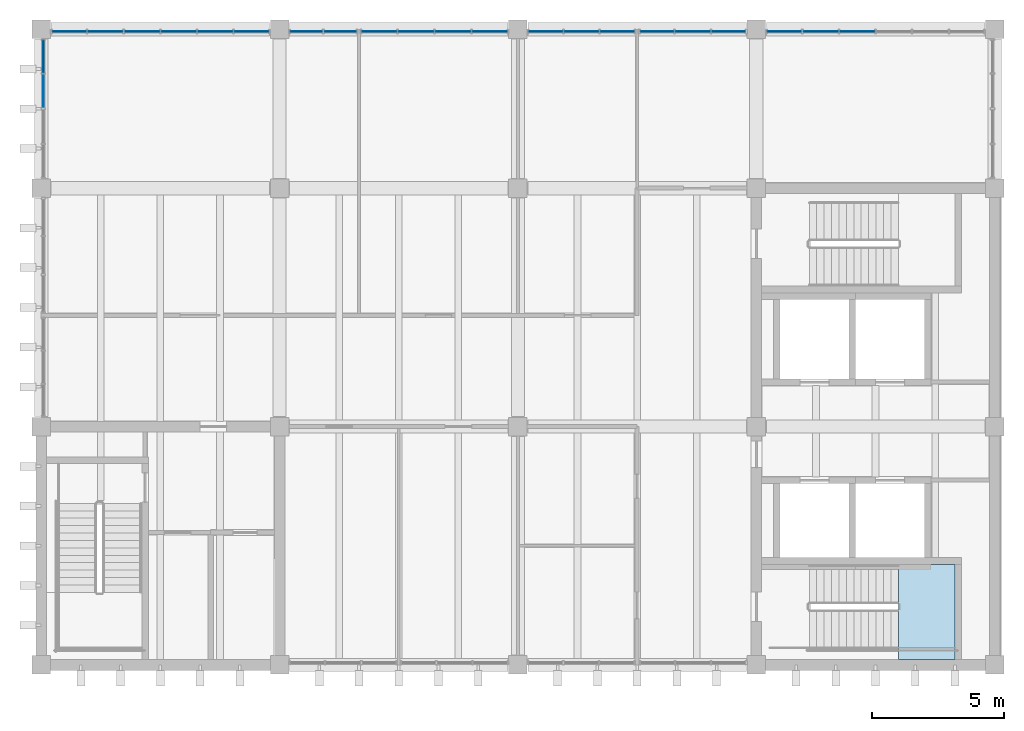
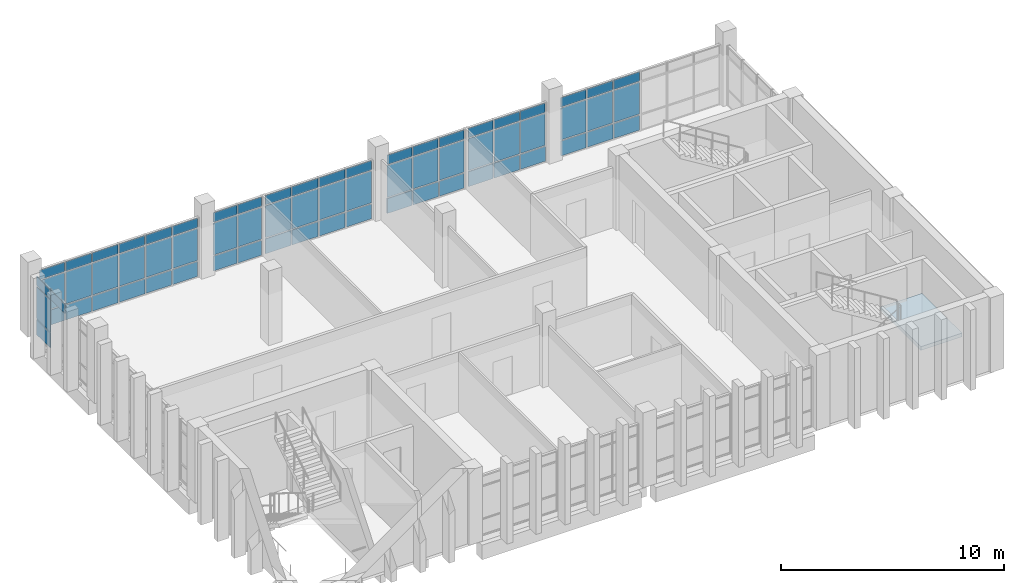
# One storey, part 8 of 14: 67 plates, 1 slab, 8 elements without a shape of their own.
"""IFC4 building model written with IfcOpenShell, lengths in metres."""

from ifc_helpers import new_model, si_unit, direction, frame, origin, origin_2d, place, context, subcontext, project, spatial, polyline, rectangle, outline, extrude, material, layer, layer_set, type_object, element, aggregate, save


model = new_model("IFC4")

# Units and contexts
model_context = context("Model", 3, precision=1e-05, world=origin(), true_north=direction((0.0, 1.0)))
body_context = subcontext(model_context, "Body", "Model", "MODEL_VIEW")
ifc_project = project(units=[si_unit("LENGTHUNIT", "METRE"), si_unit("AREAUNIT", "SQUARE_METRE"), si_unit("VOLUMEUNIT", "CUBIC_METRE"), si_unit("PLANEANGLEUNIT", "RADIAN"), si_unit("MASSUNIT", "GRAM", prefix="KILO")], contexts=[model_context])

# Site, building, storey
site_placement = place(None, origin())
site = spatial("IfcSite", under=ifc_project, at=site_placement, CompositionType="ELEMENT")
building_placement = place(site_placement, origin())
building = spatial("IfcBuilding", under=site, at=building_placement, Name="Merrow Basin Faculty of Sciences", CompositionType="ELEMENT")
storey_placement = place(building_placement, frame((0.0, 0.0, 36.0)))
storey = spatial("IfcBuildingStorey", under=building, at=storey_placement, Name="L08", CompositionType="ELEMENT", Elevation=36.0)

# Curtain wall, plate
ifc_material_1 = material(Name="Aluminium alloy 6063", Category="aluminium")
curtain_wall_type = type_object("IfcCurtainWallType", Name="Unitised curtain wall 160", PredefinedType="NOTDEFINED", material=ifc_material_1)
curtain_wall_1_placement = place(storey_placement, origin())
curtain_wall_1 = element("IfcCurtainWall", 1, at=curtain_wall_1_placement, inside=storey, type_object=curtain_wall_type, Name="W curtain wall L08 3", PredefinedType="NOTDEFINED")
ifc_material_2 = material(Name="Insulated aluminium spandrel panel", Category="aluminium")
ifc_layer_1 = layer(ifc_material_2, 0.052001953125)
ifc_layer_set_1 = layer_set([ifc_layer_1], Name="Insulated spandrel panel 52")
plate_type_1 = type_object("IfcPlateType", Name="Insulated spandrel panel 52", PredefinedType="CURTAIN_PANEL", material=ifc_layer_set_1)
plate_1_placement = place(storey_placement, frame((18.080078125, 164.972412109375, 0.06005859375), z_axis=(0.0, 0.0, 1.0), x_axis=(0.0, 1.0, 0.0)))
plate_1 = element("IfcPlate", 2, at=plate_1_placement, type_object=plate_type_1, Name="CW3 panel 4.1", PredefinedType="CURTAIN_PANEL", context=body_context, shape_type="SweptSolid", body=[
    extrude(rectangle(XDim=1.235107421875, YDim=0.052001953125, at=origin_2d()), origin(), (0.0, 0.0, 1.0), 0.81005859375),
])

# Curtain wall, plates
curtain_wall_2_placement = place(storey_placement, origin())
curtain_wall_2 = element("IfcCurtainWall", 3, at=curtain_wall_2_placement, inside=storey, type_object=curtain_wall_type, Name="N curtain wall L08 1", PredefinedType="NOTDEFINED")
plate_2_placement = place(storey_placement, frame((19.056640625, 165.919921875, 0.06005859375), z_axis=(0.0, 0.0, 1.0), x_axis=(1.0, 0.0, 0.0)))
plate_2 = element("IfcPlate", 4, at=plate_2_placement, type_object=plate_type_1, Name="CW3 panel 1.1", PredefinedType="CURTAIN_PANEL", context=body_context, shape_type="SweptSolid", body=[
    extrude(rectangle(XDim=1.293212890625, YDim=0.052001953125, at=origin_2d()), origin(), (0.0, 0.0, 1.0), 0.81005859375),
])
plate_3_placement = place(storey_placement, frame((20.425048828125, 165.919921875, 0.06005859375), z_axis=(0.0, 0.0, 1.0), x_axis=(1.0, 0.0, 0.0)))
plate_3 = element("IfcPlate", 5, at=plate_3_placement, type_object=plate_type_1, Name="CW3 panel 2.1", PredefinedType="CURTAIN_PANEL", context=body_context, shape_type="SweptSolid", body=[
    extrude(rectangle(XDim=1.3232421875, YDim=0.052001953125, at=origin_2d()), origin(), (0.0, 0.0, 1.0), 0.81005859375),
])
plate_4_placement = place(storey_placement, frame((21.808349609375, 165.919921875, 0.06005859375), z_axis=(0.0, 0.0, 1.0), x_axis=(1.0, 0.0, 0.0)))
plate_4 = element("IfcPlate", 6, at=plate_4_placement, type_object=plate_type_1, Name="CW3 panel 3.1", PredefinedType="CURTAIN_PANEL", context=body_context, shape_type="SweptSolid", body=[
    extrude(rectangle(XDim=1.3232421875, YDim=0.052001953125, at=origin_2d()), origin(), (0.0, 0.0, 1.0), 0.81005859375),
])
plate_5_placement = place(storey_placement, frame((23.191650390625, 165.919921875, 0.06005859375), z_axis=(0.0, 0.0, 1.0), x_axis=(1.0, 0.0, 0.0)))
plate_5 = element("IfcPlate", 7, at=plate_5_placement, type_object=plate_type_1, Name="CW3 panel 4.1", PredefinedType="CURTAIN_PANEL", context=body_context, shape_type="SweptSolid", body=[
    extrude(rectangle(XDim=1.3232421875, YDim=0.052001953125, at=origin_2d()), origin(), (0.0, 0.0, 1.0), 0.81005859375),
])
plate_6_placement = place(storey_placement, frame((24.574951171875, 165.919921875, 0.06005859375), z_axis=(0.0, 0.0, 1.0), x_axis=(1.0, 0.0, 0.0)))
plate_6 = element("IfcPlate", 8, at=plate_6_placement, type_object=plate_type_1, Name="CW3 panel 5.1", PredefinedType="CURTAIN_PANEL", context=body_context, shape_type="SweptSolid", body=[
    extrude(rectangle(XDim=1.3232421875, YDim=0.052001953125, at=origin_2d()), origin(), (0.0, 0.0, 1.0), 0.81005859375),
])
plate_7_placement = place(storey_placement, frame((25.943359375, 165.919921875, 0.06005859375), z_axis=(0.0, 0.0, 1.0), x_axis=(1.0, 0.0, 0.0)))
plate_7 = element("IfcPlate", 9, at=plate_7_placement, type_object=plate_type_1, Name="CW3 panel 6.1", PredefinedType="CURTAIN_PANEL", context=body_context, shape_type="SweptSolid", body=[
    extrude(rectangle(XDim=1.293212890625, YDim=0.052001953125, at=origin_2d()), origin(), (0.0, 0.0, 1.0), 0.81005859375),
])

curtain_wall_3_placement = place(storey_placement, origin())
curtain_wall_3 = element("IfcCurtainWall", 10, at=curtain_wall_3_placement, inside=storey, type_object=curtain_wall_type, Name="N curtain wall L08 2", PredefinedType="NOTDEFINED")
plate_8_placement = place(storey_placement, frame((28.014892578125, 165.919921875, 0.06005859375), z_axis=(0.0, 0.0, 1.0), x_axis=(1.0, 0.0, 0.0)))
plate_8 = element("IfcPlate", 11, at=plate_8_placement, type_object=plate_type_1, Name="CW3 panel 1.1", PredefinedType="CURTAIN_PANEL", context=body_context, shape_type="SweptSolid", body=[
    extrude(rectangle(XDim=1.2099609375, YDim=0.052001953125, at=origin_2d()), origin(), (0.0, 0.0, 1.0), 0.81005859375),
])
plate_9_placement = place(storey_placement, frame((29.284912109375, 165.919921875, 0.06005859375), z_axis=(0.0, 0.0, 1.0), x_axis=(1.0, 0.0, 0.0)))
plate_9 = element("IfcPlate", 12, at=plate_9_placement, type_object=plate_type_1, Name="CW3 panel 2.1", PredefinedType="CURTAIN_PANEL", context=body_context, shape_type="SweptSolid", body=[
    extrude(rectangle(XDim=1.2099609375, YDim=0.052001953125, at=origin_2d()), origin(), (0.0, 0.0, 1.0), 0.81005859375),
])

curtain_wall_4_placement = place(storey_placement, origin())
curtain_wall_4 = element("IfcCurtainWall", 13, at=curtain_wall_4_placement, inside=storey, type_object=curtain_wall_type, Name="N curtain wall L08 3", PredefinedType="NOTDEFINED")
plate_10_placement = place(storey_placement, frame((30.764892578125, 165.919921875, 0.06005859375), z_axis=(0.0, 0.0, 1.0), x_axis=(1.0, 0.0, 0.0)))
plate_10 = element("IfcPlate", 14, at=plate_10_placement, type_object=plate_type_1, Name="CW3 panel 1.1", PredefinedType="CURTAIN_PANEL", context=body_context, shape_type="SweptSolid", body=[
    extrude(rectangle(XDim=1.31005859375, YDim=0.052001953125, at=origin_2d()), origin(), (0.0, 0.0, 1.0), 0.81005859375),
])
plate_11_placement = place(storey_placement, frame((32.14990234375, 165.919921875, 0.06005859375), z_axis=(0.0, 0.0, 1.0), x_axis=(1.0, 0.0, 0.0)))
plate_11 = element("IfcPlate", 15, at=plate_11_placement, type_object=plate_type_1, Name="CW3 panel 2.1", PredefinedType="CURTAIN_PANEL", context=body_context, shape_type="SweptSolid", body=[
    extrude(rectangle(XDim=1.340087890625, YDim=0.052001953125, at=origin_2d()), origin(), (0.0, 0.0, 1.0), 0.81005859375),
])
plate_12_placement = place(storey_placement, frame((33.550048828125, 165.919921875, 0.06005859375), z_axis=(0.0, 0.0, 1.0), x_axis=(1.0, 0.0, 0.0)))
plate_12 = element("IfcPlate", 16, at=plate_12_placement, type_object=plate_type_1, Name="CW3 panel 3.1", PredefinedType="CURTAIN_PANEL", context=body_context, shape_type="SweptSolid", body=[
    extrude(rectangle(XDim=1.340087890625, YDim=0.052001953125, at=origin_2d()), origin(), (0.0, 0.0, 1.0), 0.81005859375),
])
plate_13_placement = place(storey_placement, frame((34.93505859375, 165.919921875, 0.06005859375), z_axis=(0.0, 0.0, 1.0), x_axis=(1.0, 0.0, 0.0)))
plate_13 = element("IfcPlate", 17, at=plate_13_placement, type_object=plate_type_1, Name="CW3 panel 4.1", PredefinedType="CURTAIN_PANEL", context=body_context, shape_type="SweptSolid", body=[
    extrude(rectangle(XDim=1.31005859375, YDim=0.052001953125, at=origin_2d()), origin(), (0.0, 0.0, 1.0), 0.81005859375),
])

curtain_wall_5_placement = place(storey_placement, origin())
curtain_wall_5 = element("IfcCurtainWall", 18, at=curtain_wall_5_placement, inside=storey, type_object=curtain_wall_type, Name="N curtain wall L08 4", PredefinedType="NOTDEFINED")
plate_14_placement = place(storey_placement, frame((37.04833984375, 165.919921875, 0.06005859375), z_axis=(0.0, 0.0, 1.0), x_axis=(1.0, 0.0, 0.0)))
plate_14 = element("IfcPlate", 19, at=plate_14_placement, type_object=plate_type_1, Name="CW3 panel 1.1", PredefinedType="CURTAIN_PANEL", context=body_context, shape_type="SweptSolid", body=[
    extrude(rectangle(XDim=1.276611328125, YDim=0.052001953125, at=origin_2d()), origin(), (0.0, 0.0, 1.0), 0.81005859375),
])
plate_15_placement = place(storey_placement, frame((38.39990234375, 165.919921875, 0.06005859375), z_axis=(0.0, 0.0, 1.0), x_axis=(1.0, 0.0, 0.0)))
plate_15 = element("IfcPlate", 20, at=plate_15_placement, type_object=plate_type_1, Name="CW3 panel 2.1", PredefinedType="CURTAIN_PANEL", context=body_context, shape_type="SweptSolid", body=[
    extrude(rectangle(XDim=1.306640625, YDim=0.052001953125, at=origin_2d()), origin(), (0.0, 0.0, 1.0), 0.81005859375),
])
plate_16_placement = place(storey_placement, frame((39.751708984375, 165.919921875, 0.06005859375), z_axis=(0.0, 0.0, 1.0), x_axis=(1.0, 0.0, 0.0)))
plate_16 = element("IfcPlate", 21, at=plate_16_placement, type_object=plate_type_1, Name="CW3 panel 3.1", PredefinedType="CURTAIN_PANEL", context=body_context, shape_type="SweptSolid", body=[
    extrude(rectangle(XDim=1.276611328125, YDim=0.052001953125, at=origin_2d()), origin(), (0.0, 0.0, 1.0), 0.81005859375),
])

curtain_wall_6_placement = place(storey_placement, origin())
curtain_wall_6 = element("IfcCurtainWall", 22, at=curtain_wall_6_placement, inside=storey, type_object=curtain_wall_type, Name="N curtain wall L08 5", PredefinedType="NOTDEFINED")
plate_17_placement = place(storey_placement, frame((41.248291015625, 165.919921875, 0.06005859375), z_axis=(0.0, 0.0, 1.0), x_axis=(1.0, 0.0, 0.0)))
plate_17 = element("IfcPlate", 23, at=plate_17_placement, type_object=plate_type_1, Name="CW3 panel 1.1", PredefinedType="CURTAIN_PANEL", context=body_context, shape_type="SweptSolid", body=[
    extrude(rectangle(XDim=1.276611328125, YDim=0.052001953125, at=origin_2d()), origin(), (0.0, 0.0, 1.0), 0.81005859375),
])
plate_18_placement = place(storey_placement, frame((42.60009765625, 165.919921875, 0.06005859375), z_axis=(0.0, 0.0, 1.0), x_axis=(1.0, 0.0, 0.0)))
plate_18 = element("IfcPlate", 24, at=plate_18_placement, type_object=plate_type_1, Name="CW3 panel 2.1", PredefinedType="CURTAIN_PANEL", context=body_context, shape_type="SweptSolid", body=[
    extrude(rectangle(XDim=1.306640625, YDim=0.052001953125, at=origin_2d()), origin(), (0.0, 0.0, 1.0), 0.81005859375),
])
plate_19_placement = place(storey_placement, frame((43.95166015625, 165.919921875, 0.06005859375), z_axis=(0.0, 0.0, 1.0), x_axis=(1.0, 0.0, 0.0)))
plate_19 = element("IfcPlate", 25, at=plate_19_placement, type_object=plate_type_1, Name="CW3 panel 3.1", PredefinedType="CURTAIN_PANEL", context=body_context, shape_type="SweptSolid", body=[
    extrude(rectangle(XDim=1.276611328125, YDim=0.052001953125, at=origin_2d()), origin(), (0.0, 0.0, 1.0), 0.81005859375),
])

curtain_wall_7_placement = place(storey_placement, origin())
curtain_wall_7 = element("IfcCurtainWall", 26, at=curtain_wall_7_placement, inside=storey, type_object=curtain_wall_type, Name="N curtain wall L08 6", PredefinedType="NOTDEFINED")
plate_20_placement = place(storey_placement, frame((46.056640625, 165.919921875, 0.06005859375), z_axis=(0.0, 0.0, 1.0), x_axis=(1.0, 0.0, 0.0)))
plate_20 = element("IfcPlate", 27, at=plate_20_placement, type_object=plate_type_1, Name="CW3 panel 1.1", PredefinedType="CURTAIN_PANEL", context=body_context, shape_type="SweptSolid", body=[
    extrude(rectangle(XDim=1.293212890625, YDim=0.052001953125, at=origin_2d()), origin(), (0.0, 0.0, 1.0), 0.81005859375),
])
plate_21_placement = place(storey_placement, frame((47.425048828125, 165.919921875, 0.06005859375), z_axis=(0.0, 0.0, 1.0), x_axis=(1.0, 0.0, 0.0)))
plate_21 = element("IfcPlate", 28, at=plate_21_placement, type_object=plate_type_1, Name="CW3 panel 2.1", PredefinedType="CURTAIN_PANEL", context=body_context, shape_type="SweptSolid", body=[
    extrude(rectangle(XDim=1.3232421875, YDim=0.052001953125, at=origin_2d()), origin(), (0.0, 0.0, 1.0), 0.81005859375),
])
plate_22_placement = place(storey_placement, frame((48.808349609375, 165.919921875, 0.06005859375), z_axis=(0.0, 0.0, 1.0), x_axis=(1.0, 0.0, 0.0)))
plate_22 = element("IfcPlate", 29, at=plate_22_placement, type_object=plate_type_1, Name="CW3 panel 3.1", PredefinedType="CURTAIN_PANEL", context=body_context, shape_type="SweptSolid", body=[
    extrude(rectangle(XDim=1.3232421875, YDim=0.052001953125, at=origin_2d()), origin(), (0.0, 0.0, 1.0), 0.81005859375),
])

# Plate
ifc_material_3 = material(Name="Low-E double glazing", Category="glass")
ifc_layer_2 = layer(ifc_material_3, 0.028076171875)
ifc_layer_set_2 = layer_set([ifc_layer_2], Name="Low-E double glazed panel 28")
plate_type_2 = type_object("IfcPlateType", Name="Low-E double glazed panel 28", PredefinedType="CURTAIN_PANEL", material=ifc_layer_set_2)
plate_23_placement = place(storey_placement, frame((18.080078125, 163.66259765625, 2.72998046875), z_axis=(0.0, 0.0, 1.0), x_axis=(0.0, 1.0, 0.0)))
plate_23 = element("IfcPlate", 30, at=plate_23_placement, type_object=plate_type_2, Name="CW3 panel 3.3", PredefinedType="CURTAIN_PANEL", context=body_context, shape_type="SweptSolid", body=[
    extrude(rectangle(XDim=1.264892578125, YDim=0.028076171875, at=origin_2d()), origin(), (0.0, 0.0, 1.0), 0.510009765625),
])

plate_24_placement = place(storey_placement, frame((18.080078125, 164.972412109375, 0.93017578125), z_axis=(0.0, 0.0, 1.0), x_axis=(0.0, 1.0, 0.0)))
plate_24 = element("IfcPlate", 31, at=plate_24_placement, type_object=plate_type_2, Name="CW3 panel 4.2", PredefinedType="CURTAIN_PANEL", context=body_context, shape_type="SweptSolid", body=[
    extrude(rectangle(XDim=1.235107421875, YDim=0.028076171875, at=origin_2d()), origin(), (0.0, 0.0, 1.0), 1.739990234375),
])

plate_25_placement = place(storey_placement, frame((18.080078125, 164.972412109375, 2.72998046875), z_axis=(0.0, 0.0, 1.0), x_axis=(0.0, 1.0, 0.0)))
plate_25 = element("IfcPlate", 32, at=plate_25_placement, type_object=plate_type_2, Name="CW3 panel 4.3", PredefinedType="CURTAIN_PANEL", context=body_context, shape_type="SweptSolid", body=[
    extrude(rectangle(XDim=1.235107421875, YDim=0.028076171875, at=origin_2d()), origin(), (0.0, 0.0, 1.0), 0.510009765625),
])

aggregate(curtain_wall_1, [plate_23, plate_1, plate_24, plate_25])

plate_26_placement = place(storey_placement, frame((19.056640625, 165.919921875, 0.93017578125), z_axis=(0.0, 0.0, 1.0), x_axis=(1.0, 0.0, 0.0)))
plate_26 = element("IfcPlate", 33, at=plate_26_placement, type_object=plate_type_2, Name="CW3 panel 1.2", PredefinedType="CURTAIN_PANEL", context=body_context, shape_type="SweptSolid", body=[
    extrude(rectangle(XDim=1.293212890625, YDim=0.028076171875, at=origin_2d()), origin(), (0.0, 0.0, 1.0), 1.739990234375),
])

plate_27_placement = place(storey_placement, frame((19.056640625, 165.919921875, 2.72998046875), z_axis=(0.0, 0.0, 1.0), x_axis=(1.0, 0.0, 0.0)))
plate_27 = element("IfcPlate", 34, at=plate_27_placement, type_object=plate_type_2, Name="CW3 panel 1.3", PredefinedType="CURTAIN_PANEL", context=body_context, shape_type="SweptSolid", body=[
    extrude(rectangle(XDim=1.293212890625, YDim=0.028076171875, at=origin_2d()), origin(), (0.0, 0.0, 1.0), 0.510009765625),
])

plate_28_placement = place(storey_placement, frame((20.425048828125, 165.919921875, 0.93017578125), z_axis=(0.0, 0.0, 1.0), x_axis=(1.0, 0.0, 0.0)))
plate_28 = element("IfcPlate", 35, at=plate_28_placement, type_object=plate_type_2, Name="CW3 panel 2.2", PredefinedType="CURTAIN_PANEL", context=body_context, shape_type="SweptSolid", body=[
    extrude(rectangle(XDim=1.3232421875, YDim=0.028076171875, at=origin_2d()), origin(), (0.0, 0.0, 1.0), 1.739990234375),
])

plate_29_placement = place(storey_placement, frame((20.425048828125, 165.919921875, 2.72998046875), z_axis=(0.0, 0.0, 1.0), x_axis=(1.0, 0.0, 0.0)))
plate_29 = element("IfcPlate", 36, at=plate_29_placement, type_object=plate_type_2, Name="CW3 panel 2.3", PredefinedType="CURTAIN_PANEL", context=body_context, shape_type="SweptSolid", body=[
    extrude(rectangle(XDim=1.3232421875, YDim=0.028076171875, at=origin_2d()), origin(), (0.0, 0.0, 1.0), 0.510009765625),
])

plate_30_placement = place(storey_placement, frame((21.808349609375, 165.919921875, 0.93017578125), z_axis=(0.0, 0.0, 1.0), x_axis=(1.0, 0.0, 0.0)))
plate_30 = element("IfcPlate", 37, at=plate_30_placement, type_object=plate_type_2, Name="CW3 panel 3.2", PredefinedType="CURTAIN_PANEL", context=body_context, shape_type="SweptSolid", body=[
    extrude(rectangle(XDim=1.3232421875, YDim=0.028076171875, at=origin_2d()), origin(), (0.0, 0.0, 1.0), 1.739990234375),
])

plate_31_placement = place(storey_placement, frame((21.808349609375, 165.919921875, 2.72998046875), z_axis=(0.0, 0.0, 1.0), x_axis=(1.0, 0.0, 0.0)))
plate_31 = element("IfcPlate", 38, at=plate_31_placement, type_object=plate_type_2, Name="CW3 panel 3.3", PredefinedType="CURTAIN_PANEL", context=body_context, shape_type="SweptSolid", body=[
    extrude(rectangle(XDim=1.3232421875, YDim=0.028076171875, at=origin_2d()), origin(), (0.0, 0.0, 1.0), 0.510009765625),
])

plate_32_placement = place(storey_placement, frame((23.191650390625, 165.919921875, 0.93017578125), z_axis=(0.0, 0.0, 1.0), x_axis=(1.0, 0.0, 0.0)))
plate_32 = element("IfcPlate", 39, at=plate_32_placement, type_object=plate_type_2, Name="CW3 panel 4.2", PredefinedType="CURTAIN_PANEL", context=body_context, shape_type="SweptSolid", body=[
    extrude(rectangle(XDim=1.3232421875, YDim=0.028076171875, at=origin_2d()), origin(), (0.0, 0.0, 1.0), 1.739990234375),
])

plate_33_placement = place(storey_placement, frame((23.191650390625, 165.919921875, 2.72998046875), z_axis=(0.0, 0.0, 1.0), x_axis=(1.0, 0.0, 0.0)))
plate_33 = element("IfcPlate", 40, at=plate_33_placement, type_object=plate_type_2, Name="CW3 panel 4.3", PredefinedType="CURTAIN_PANEL", context=body_context, shape_type="SweptSolid", body=[
    extrude(rectangle(XDim=1.3232421875, YDim=0.028076171875, at=origin_2d()), origin(), (0.0, 0.0, 1.0), 0.510009765625),
])

plate_34_placement = place(storey_placement, frame((24.574951171875, 165.919921875, 0.93017578125), z_axis=(0.0, 0.0, 1.0), x_axis=(1.0, 0.0, 0.0)))
plate_34 = element("IfcPlate", 41, at=plate_34_placement, type_object=plate_type_2, Name="CW3 panel 5.2", PredefinedType="CURTAIN_PANEL", context=body_context, shape_type="SweptSolid", body=[
    extrude(rectangle(XDim=1.3232421875, YDim=0.028076171875, at=origin_2d()), origin(), (0.0, 0.0, 1.0), 1.739990234375),
])

plate_35_placement = place(storey_placement, frame((24.574951171875, 165.919921875, 2.72998046875), z_axis=(0.0, 0.0, 1.0), x_axis=(1.0, 0.0, 0.0)))
plate_35 = element("IfcPlate", 42, at=plate_35_placement, type_object=plate_type_2, Name="CW3 panel 5.3", PredefinedType="CURTAIN_PANEL", context=body_context, shape_type="SweptSolid", body=[
    extrude(rectangle(XDim=1.3232421875, YDim=0.028076171875, at=origin_2d()), origin(), (0.0, 0.0, 1.0), 0.510009765625),
])

plate_36_placement = place(storey_placement, frame((25.943359375, 165.919921875, 0.93017578125), z_axis=(0.0, 0.0, 1.0), x_axis=(1.0, 0.0, 0.0)))
plate_36 = element("IfcPlate", 43, at=plate_36_placement, type_object=plate_type_2, Name="CW3 panel 6.2", PredefinedType="CURTAIN_PANEL", context=body_context, shape_type="SweptSolid", body=[
    extrude(rectangle(XDim=1.293212890625, YDim=0.028076171875, at=origin_2d()), origin(), (0.0, 0.0, 1.0), 1.739990234375),
])

plate_37_placement = place(storey_placement, frame((25.943359375, 165.919921875, 2.72998046875), z_axis=(0.0, 0.0, 1.0), x_axis=(1.0, 0.0, 0.0)))
plate_37 = element("IfcPlate", 44, at=plate_37_placement, type_object=plate_type_2, Name="CW3 panel 6.3", PredefinedType="CURTAIN_PANEL", context=body_context, shape_type="SweptSolid", body=[
    extrude(rectangle(XDim=1.293212890625, YDim=0.028076171875, at=origin_2d()), origin(), (0.0, 0.0, 1.0), 0.510009765625),
])

aggregate(curtain_wall_2, [plate_2, plate_26, plate_27, plate_3, plate_28, plate_29, plate_4, plate_30, plate_31, plate_5, plate_32, plate_33, plate_6, plate_34, plate_35, plate_7, plate_36, plate_37])

plate_38_placement = place(storey_placement, frame((28.014892578125, 165.919921875, 0.93017578125), z_axis=(0.0, 0.0, 1.0), x_axis=(1.0, 0.0, 0.0)))
plate_38 = element("IfcPlate", 45, at=plate_38_placement, type_object=plate_type_2, Name="CW3 panel 1.2", PredefinedType="CURTAIN_PANEL", context=body_context, shape_type="SweptSolid", body=[
    extrude(rectangle(XDim=1.2099609375, YDim=0.028076171875, at=origin_2d()), origin(), (0.0, 0.0, 1.0), 1.739990234375),
])

plate_39_placement = place(storey_placement, frame((28.014892578125, 165.919921875, 2.72998046875), z_axis=(0.0, 0.0, 1.0), x_axis=(1.0, 0.0, 0.0)))
plate_39 = element("IfcPlate", 46, at=plate_39_placement, type_object=plate_type_2, Name="CW3 panel 1.3", PredefinedType="CURTAIN_PANEL", context=body_context, shape_type="SweptSolid", body=[
    extrude(rectangle(XDim=1.2099609375, YDim=0.028076171875, at=origin_2d()), origin(), (0.0, 0.0, 1.0), 0.510009765625),
])

plate_40_placement = place(storey_placement, frame((29.284912109375, 165.919921875, 0.93017578125), z_axis=(0.0, 0.0, 1.0), x_axis=(1.0, 0.0, 0.0)))
plate_40 = element("IfcPlate", 47, at=plate_40_placement, type_object=plate_type_2, Name="CW3 panel 2.2", PredefinedType="CURTAIN_PANEL", context=body_context, shape_type="SweptSolid", body=[
    extrude(rectangle(XDim=1.2099609375, YDim=0.028076171875, at=origin_2d()), origin(), (0.0, 0.0, 1.0), 1.739990234375),
])

plate_41_placement = place(storey_placement, frame((29.284912109375, 165.919921875, 2.72998046875), z_axis=(0.0, 0.0, 1.0), x_axis=(1.0, 0.0, 0.0)))
plate_41 = element("IfcPlate", 48, at=plate_41_placement, type_object=plate_type_2, Name="CW3 panel 2.3", PredefinedType="CURTAIN_PANEL", context=body_context, shape_type="SweptSolid", body=[
    extrude(rectangle(XDim=1.2099609375, YDim=0.028076171875, at=origin_2d()), origin(), (0.0, 0.0, 1.0), 0.510009765625),
])

aggregate(curtain_wall_3, [plate_8, plate_38, plate_39, plate_9, plate_40, plate_41])

plate_42_placement = place(storey_placement, frame((30.764892578125, 165.919921875, 0.93017578125), z_axis=(0.0, 0.0, 1.0), x_axis=(1.0, 0.0, 0.0)))
plate_42 = element("IfcPlate", 49, at=plate_42_placement, type_object=plate_type_2, Name="CW3 panel 1.2", PredefinedType="CURTAIN_PANEL", context=body_context, shape_type="SweptSolid", body=[
    extrude(rectangle(XDim=1.31005859375, YDim=0.028076171875, at=origin_2d()), origin(), (0.0, 0.0, 1.0), 1.739990234375),
])

plate_43_placement = place(storey_placement, frame((30.764892578125, 165.919921875, 2.72998046875), z_axis=(0.0, 0.0, 1.0), x_axis=(1.0, 0.0, 0.0)))
plate_43 = element("IfcPlate", 50, at=plate_43_placement, type_object=plate_type_2, Name="CW3 panel 1.3", PredefinedType="CURTAIN_PANEL", context=body_context, shape_type="SweptSolid", body=[
    extrude(rectangle(XDim=1.31005859375, YDim=0.028076171875, at=origin_2d()), origin(), (0.0, 0.0, 1.0), 0.510009765625),
])

plate_44_placement = place(storey_placement, frame((32.14990234375, 165.919921875, 0.93017578125), z_axis=(0.0, 0.0, 1.0), x_axis=(1.0, 0.0, 0.0)))
plate_44 = element("IfcPlate", 51, at=plate_44_placement, type_object=plate_type_2, Name="CW3 panel 2.2", PredefinedType="CURTAIN_PANEL", context=body_context, shape_type="SweptSolid", body=[
    extrude(rectangle(XDim=1.340087890625, YDim=0.028076171875, at=origin_2d()), origin(), (0.0, 0.0, 1.0), 1.739990234375),
])

plate_45_placement = place(storey_placement, frame((32.14990234375, 165.919921875, 2.72998046875), z_axis=(0.0, 0.0, 1.0), x_axis=(1.0, 0.0, 0.0)))
plate_45 = element("IfcPlate", 52, at=plate_45_placement, type_object=plate_type_2, Name="CW3 panel 2.3", PredefinedType="CURTAIN_PANEL", context=body_context, shape_type="SweptSolid", body=[
    extrude(rectangle(XDim=1.340087890625, YDim=0.028076171875, at=origin_2d()), origin(), (0.0, 0.0, 1.0), 0.510009765625),
])

plate_46_placement = place(storey_placement, frame((33.550048828125, 165.919921875, 0.93017578125), z_axis=(0.0, 0.0, 1.0), x_axis=(1.0, 0.0, 0.0)))
plate_46 = element("IfcPlate", 53, at=plate_46_placement, type_object=plate_type_2, Name="CW3 panel 3.2", PredefinedType="CURTAIN_PANEL", context=body_context, shape_type="SweptSolid", body=[
    extrude(rectangle(XDim=1.340087890625, YDim=0.028076171875, at=origin_2d()), origin(), (0.0, 0.0, 1.0), 1.739990234375),
])

plate_47_placement = place(storey_placement, frame((33.550048828125, 165.919921875, 2.72998046875), z_axis=(0.0, 0.0, 1.0), x_axis=(1.0, 0.0, 0.0)))
plate_47 = element("IfcPlate", 54, at=plate_47_placement, type_object=plate_type_2, Name="CW3 panel 3.3", PredefinedType="CURTAIN_PANEL", context=body_context, shape_type="SweptSolid", body=[
    extrude(rectangle(XDim=1.340087890625, YDim=0.028076171875, at=origin_2d()), origin(), (0.0, 0.0, 1.0), 0.510009765625),
])

plate_48_placement = place(storey_placement, frame((34.93505859375, 165.919921875, 0.93017578125), z_axis=(0.0, 0.0, 1.0), x_axis=(1.0, 0.0, 0.0)))
plate_48 = element("IfcPlate", 55, at=plate_48_placement, type_object=plate_type_2, Name="CW3 panel 4.2", PredefinedType="CURTAIN_PANEL", context=body_context, shape_type="SweptSolid", body=[
    extrude(rectangle(XDim=1.31005859375, YDim=0.028076171875, at=origin_2d()), origin(), (0.0, 0.0, 1.0), 1.739990234375),
])

plate_49_placement = place(storey_placement, frame((34.93505859375, 165.919921875, 2.72998046875), z_axis=(0.0, 0.0, 1.0), x_axis=(1.0, 0.0, 0.0)))
plate_49 = element("IfcPlate", 56, at=plate_49_placement, type_object=plate_type_2, Name="CW3 panel 4.3", PredefinedType="CURTAIN_PANEL", context=body_context, shape_type="SweptSolid", body=[
    extrude(rectangle(XDim=1.31005859375, YDim=0.028076171875, at=origin_2d()), origin(), (0.0, 0.0, 1.0), 0.510009765625),
])

aggregate(curtain_wall_4, [plate_10, plate_42, plate_43, plate_11, plate_44, plate_45, plate_12, plate_46, plate_47, plate_13, plate_48, plate_49])

plate_50_placement = place(storey_placement, frame((37.04833984375, 165.919921875, 0.93017578125), z_axis=(0.0, 0.0, 1.0), x_axis=(1.0, 0.0, 0.0)))
plate_50 = element("IfcPlate", 57, at=plate_50_placement, type_object=plate_type_2, Name="CW3 panel 1.2", PredefinedType="CURTAIN_PANEL", context=body_context, shape_type="SweptSolid", body=[
    extrude(rectangle(XDim=1.276611328125, YDim=0.028076171875, at=origin_2d()), origin(), (0.0, 0.0, 1.0), 1.739990234375),
])

plate_51_placement = place(storey_placement, frame((37.04833984375, 165.919921875, 2.72998046875), z_axis=(0.0, 0.0, 1.0), x_axis=(1.0, 0.0, 0.0)))
plate_51 = element("IfcPlate", 58, at=plate_51_placement, type_object=plate_type_2, Name="CW3 panel 1.3", PredefinedType="CURTAIN_PANEL", context=body_context, shape_type="SweptSolid", body=[
    extrude(rectangle(XDim=1.276611328125, YDim=0.028076171875, at=origin_2d()), origin(), (0.0, 0.0, 1.0), 0.510009765625),
])

plate_52_placement = place(storey_placement, frame((38.39990234375, 165.919921875, 0.93017578125), z_axis=(0.0, 0.0, 1.0), x_axis=(1.0, 0.0, 0.0)))
plate_52 = element("IfcPlate", 59, at=plate_52_placement, type_object=plate_type_2, Name="CW3 panel 2.2", PredefinedType="CURTAIN_PANEL", context=body_context, shape_type="SweptSolid", body=[
    extrude(rectangle(XDim=1.306640625, YDim=0.028076171875, at=origin_2d()), origin(), (0.0, 0.0, 1.0), 1.739990234375),
])

plate_53_placement = place(storey_placement, frame((38.39990234375, 165.919921875, 2.72998046875), z_axis=(0.0, 0.0, 1.0), x_axis=(1.0, 0.0, 0.0)))
plate_53 = element("IfcPlate", 60, at=plate_53_placement, type_object=plate_type_2, Name="CW3 panel 2.3", PredefinedType="CURTAIN_PANEL", context=body_context, shape_type="SweptSolid", body=[
    extrude(rectangle(XDim=1.306640625, YDim=0.028076171875, at=origin_2d()), origin(), (0.0, 0.0, 1.0), 0.510009765625),
])

plate_54_placement = place(storey_placement, frame((39.751708984375, 165.919921875, 0.93017578125), z_axis=(0.0, 0.0, 1.0), x_axis=(1.0, 0.0, 0.0)))
plate_54 = element("IfcPlate", 61, at=plate_54_placement, type_object=plate_type_2, Name="CW3 panel 3.2", PredefinedType="CURTAIN_PANEL", context=body_context, shape_type="SweptSolid", body=[
    extrude(rectangle(XDim=1.276611328125, YDim=0.028076171875, at=origin_2d()), origin(), (0.0, 0.0, 1.0), 1.739990234375),
])

plate_55_placement = place(storey_placement, frame((39.751708984375, 165.919921875, 2.72998046875), z_axis=(0.0, 0.0, 1.0), x_axis=(1.0, 0.0, 0.0)))
plate_55 = element("IfcPlate", 62, at=plate_55_placement, type_object=plate_type_2, Name="CW3 panel 3.3", PredefinedType="CURTAIN_PANEL", context=body_context, shape_type="SweptSolid", body=[
    extrude(rectangle(XDim=1.276611328125, YDim=0.028076171875, at=origin_2d()), origin(), (0.0, 0.0, 1.0), 0.510009765625),
])

aggregate(curtain_wall_5, [plate_14, plate_50, plate_51, plate_15, plate_52, plate_53, plate_16, plate_54, plate_55])

plate_56_placement = place(storey_placement, frame((41.248291015625, 165.919921875, 0.93017578125), z_axis=(0.0, 0.0, 1.0), x_axis=(1.0, 0.0, 0.0)))
plate_56 = element("IfcPlate", 63, at=plate_56_placement, type_object=plate_type_2, Name="CW3 panel 1.2", PredefinedType="CURTAIN_PANEL", context=body_context, shape_type="SweptSolid", body=[
    extrude(rectangle(XDim=1.276611328125, YDim=0.028076171875, at=origin_2d()), origin(), (0.0, 0.0, 1.0), 1.739990234375),
])

plate_57_placement = place(storey_placement, frame((41.248291015625, 165.919921875, 2.72998046875), z_axis=(0.0, 0.0, 1.0), x_axis=(1.0, 0.0, 0.0)))
plate_57 = element("IfcPlate", 64, at=plate_57_placement, type_object=plate_type_2, Name="CW3 panel 1.3", PredefinedType="CURTAIN_PANEL", context=body_context, shape_type="SweptSolid", body=[
    extrude(rectangle(XDim=1.276611328125, YDim=0.028076171875, at=origin_2d()), origin(), (0.0, 0.0, 1.0), 0.510009765625),
])

plate_58_placement = place(storey_placement, frame((42.60009765625, 165.919921875, 0.93017578125), z_axis=(0.0, 0.0, 1.0), x_axis=(1.0, 0.0, 0.0)))
plate_58 = element("IfcPlate", 65, at=plate_58_placement, type_object=plate_type_2, Name="CW3 panel 2.2", PredefinedType="CURTAIN_PANEL", context=body_context, shape_type="SweptSolid", body=[
    extrude(rectangle(XDim=1.306640625, YDim=0.028076171875, at=origin_2d()), origin(), (0.0, 0.0, 1.0), 1.739990234375),
])

plate_59_placement = place(storey_placement, frame((42.60009765625, 165.919921875, 2.72998046875), z_axis=(0.0, 0.0, 1.0), x_axis=(1.0, 0.0, 0.0)))
plate_59 = element("IfcPlate", 66, at=plate_59_placement, type_object=plate_type_2, Name="CW3 panel 2.3", PredefinedType="CURTAIN_PANEL", context=body_context, shape_type="SweptSolid", body=[
    extrude(rectangle(XDim=1.306640625, YDim=0.028076171875, at=origin_2d()), origin(), (0.0, 0.0, 1.0), 0.510009765625),
])

plate_60_placement = place(storey_placement, frame((43.95166015625, 165.919921875, 0.93017578125), z_axis=(0.0, 0.0, 1.0), x_axis=(1.0, 0.0, 0.0)))
plate_60 = element("IfcPlate", 67, at=plate_60_placement, type_object=plate_type_2, Name="CW3 panel 3.2", PredefinedType="CURTAIN_PANEL", context=body_context, shape_type="SweptSolid", body=[
    extrude(rectangle(XDim=1.276611328125, YDim=0.028076171875, at=origin_2d()), origin(), (0.0, 0.0, 1.0), 1.739990234375),
])

plate_61_placement = place(storey_placement, frame((43.95166015625, 165.919921875, 2.72998046875), z_axis=(0.0, 0.0, 1.0), x_axis=(1.0, 0.0, 0.0)))
plate_61 = element("IfcPlate", 68, at=plate_61_placement, type_object=plate_type_2, Name="CW3 panel 3.3", PredefinedType="CURTAIN_PANEL", context=body_context, shape_type="SweptSolid", body=[
    extrude(rectangle(XDim=1.276611328125, YDim=0.028076171875, at=origin_2d()), origin(), (0.0, 0.0, 1.0), 0.510009765625),
])

aggregate(curtain_wall_6, [plate_17, plate_56, plate_57, plate_18, plate_58, plate_59, plate_19, plate_60, plate_61])

plate_62_placement = place(storey_placement, frame((46.056640625, 165.919921875, 0.93017578125), z_axis=(0.0, 0.0, 1.0), x_axis=(1.0, 0.0, 0.0)))
plate_62 = element("IfcPlate", 69, at=plate_62_placement, type_object=plate_type_2, Name="CW3 panel 1.2", PredefinedType="CURTAIN_PANEL", context=body_context, shape_type="SweptSolid", body=[
    extrude(rectangle(XDim=1.293212890625, YDim=0.028076171875, at=origin_2d()), origin(), (0.0, 0.0, 1.0), 1.739990234375),
])

plate_63_placement = place(storey_placement, frame((46.056640625, 165.919921875, 2.72998046875), z_axis=(0.0, 0.0, 1.0), x_axis=(1.0, 0.0, 0.0)))
plate_63 = element("IfcPlate", 70, at=plate_63_placement, type_object=plate_type_2, Name="CW3 panel 1.3", PredefinedType="CURTAIN_PANEL", context=body_context, shape_type="SweptSolid", body=[
    extrude(rectangle(XDim=1.293212890625, YDim=0.028076171875, at=origin_2d()), origin(), (0.0, 0.0, 1.0), 0.510009765625),
])

plate_64_placement = place(storey_placement, frame((47.425048828125, 165.919921875, 0.93017578125), z_axis=(0.0, 0.0, 1.0), x_axis=(1.0, 0.0, 0.0)))
plate_64 = element("IfcPlate", 71, at=plate_64_placement, type_object=plate_type_2, Name="CW3 panel 2.2", PredefinedType="CURTAIN_PANEL", context=body_context, shape_type="SweptSolid", body=[
    extrude(rectangle(XDim=1.3232421875, YDim=0.028076171875, at=origin_2d()), origin(), (0.0, 0.0, 1.0), 1.739990234375),
])

plate_65_placement = place(storey_placement, frame((47.425048828125, 165.919921875, 2.72998046875), z_axis=(0.0, 0.0, 1.0), x_axis=(1.0, 0.0, 0.0)))
plate_65 = element("IfcPlate", 72, at=plate_65_placement, type_object=plate_type_2, Name="CW3 panel 2.3", PredefinedType="CURTAIN_PANEL", context=body_context, shape_type="SweptSolid", body=[
    extrude(rectangle(XDim=1.3232421875, YDim=0.028076171875, at=origin_2d()), origin(), (0.0, 0.0, 1.0), 0.510009765625),
])

plate_66_placement = place(storey_placement, frame((48.808349609375, 165.919921875, 0.93017578125), z_axis=(0.0, 0.0, 1.0), x_axis=(1.0, 0.0, 0.0)))
plate_66 = element("IfcPlate", 73, at=plate_66_placement, type_object=plate_type_2, Name="CW3 panel 3.2", PredefinedType="CURTAIN_PANEL", context=body_context, shape_type="SweptSolid", body=[
    extrude(rectangle(XDim=1.3232421875, YDim=0.028076171875, at=origin_2d()), origin(), (0.0, 0.0, 1.0), 1.739990234375),
])

plate_67_placement = place(storey_placement, frame((48.808349609375, 165.919921875, 2.72998046875), z_axis=(0.0, 0.0, 1.0), x_axis=(1.0, 0.0, 0.0)))
plate_67 = element("IfcPlate", 74, at=plate_67_placement, type_object=plate_type_2, Name="CW3 panel 3.3", PredefinedType="CURTAIN_PANEL", context=body_context, shape_type="SweptSolid", body=[
    extrude(rectangle(XDim=1.3232421875, YDim=0.028076171875, at=origin_2d()), origin(), (0.0, 0.0, 1.0), 0.510009765625),
])

aggregate(curtain_wall_7, [plate_20, plate_62, plate_63, plate_21, plate_64, plate_65, plate_22, plate_66, plate_67])

# Stair, slab
ifc_material_4 = material(Name="Concrete C40/50", Category="concrete")
stair_type = type_object("IfcStairType", Name="Concrete dog-leg stair Concrete C40/50", PredefinedType="HALF_TURN_STAIR", material=ifc_material_4)
stair_placement = place(storey_placement, origin())
stair = element("IfcStair", 75, at=stair_placement, inside=storey, type_object=stair_type, Name="L08 Exit stair N", PredefinedType="HALF_TURN_STAIR")
ifc_material_5 = material(Name="Concrete C40/50", Category="concrete")
ifc_layer_3 = layer(ifc_material_5, 0.199951171875)
ifc_layer_set_3 = layer_set([ifc_layer_3], Name="Stair landing 200 Concrete C40/50")
slab_type = type_object("IfcSlabType", Name="Stair landing 200 Concrete C40/50", PredefinedType="LANDING", material=ifc_layer_set_3)
slab_placement = place(storey_placement, frame((0.0, 0.0, 2.050048828125)))
slab = element("IfcSlab", 76, at=slab_placement, type_object=slab_type, Name="ST-V5-N landing 1", PredefinedType="LANDING", context=body_context, shape_type="SweptSolid", body=[
    extrude(outline(polyline([(50.360107421875, 142.199951171875), (52.5, 142.199951171875), (52.5, 145.800048828125), (50.360107421875, 145.800048828125), (50.360107421875, 142.199951171875)])), origin(), (0.0, 0.0, 1.0), 0.199951171875),
])
aggregate(stair, [slab])

save(model, "model.ifc")
